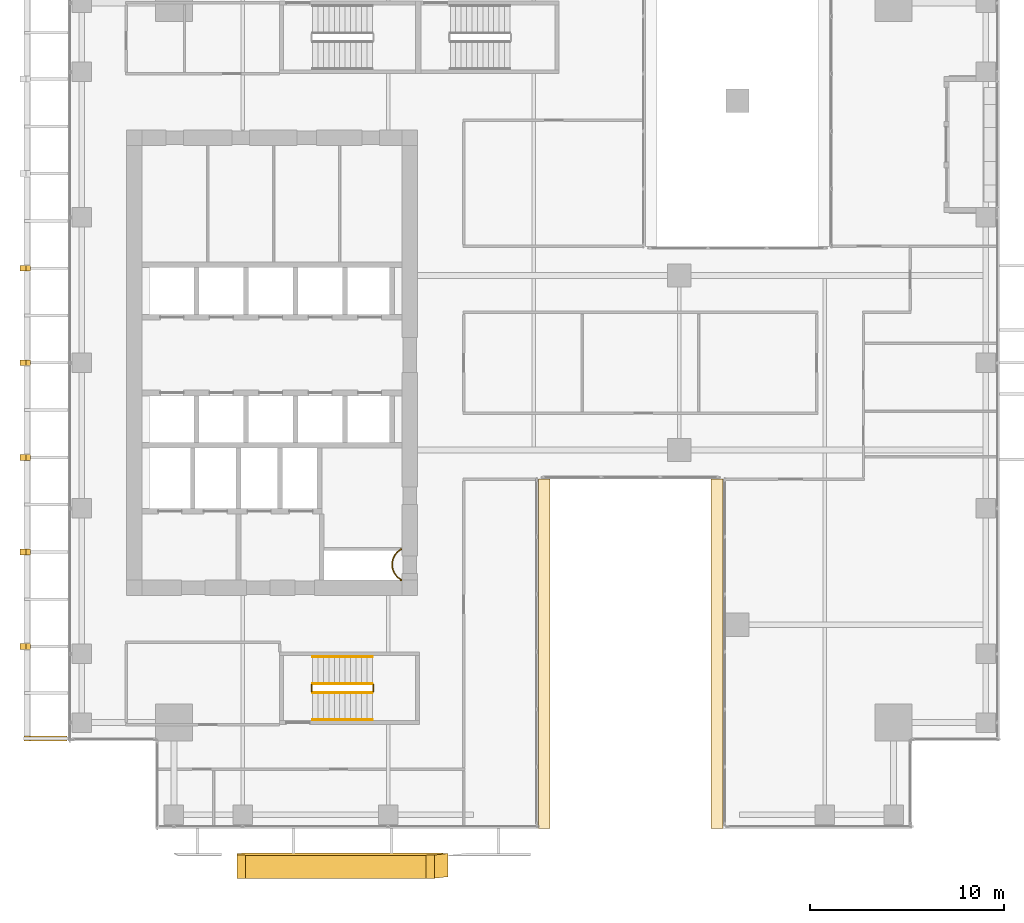
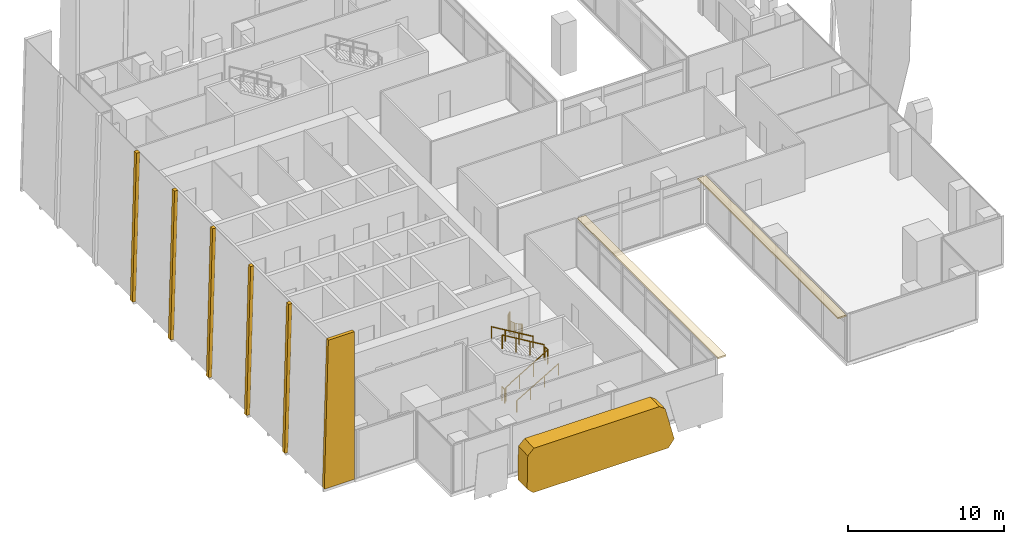
# One storey, part 37 of 40: 9 coverings, 7 railings.
"""IFC4 building model written with IfcOpenShell, lengths in metres."""

from ifc_helpers import new_model, si_unit, direction, frame, origin, origin_2d, place, context, subcontext, project, spatial, polyline, circle, outline, extrude, source, transform, mapped, material, layer, layer_set, type_object, element, save


model = new_model("IFC4")

# Units and contexts
model_context = context("Model", 3, precision=1e-05, world=origin(), true_north=direction((0.0, 1.0)))
body_context = subcontext(model_context, "Body", "Model", "MODEL_VIEW")
ifc_project = project(units=[si_unit("LENGTHUNIT", "METRE"), si_unit("AREAUNIT", "SQUARE_METRE"), si_unit("VOLUMEUNIT", "CUBIC_METRE"), si_unit("PLANEANGLEUNIT", "RADIAN"), si_unit("MASSUNIT", "GRAM", prefix="KILO")], contexts=[model_context])

# Site, building, storey
site_placement = place(None, origin())
site = spatial("IfcSite", under=ifc_project, at=site_placement, CompositionType="ELEMENT")
building_placement = place(site_placement, origin())
building = spatial("IfcBuilding", under=site, at=building_placement, Name="Khomas Fold Tower", CompositionType="ELEMENT")
storey_placement = place(building_placement, frame((0.0, 0.0, 176.699951171875)))
storey = spatial("IfcBuildingStorey", under=building, at=storey_placement, Name="L38", CompositionType="ELEMENT", Elevation=176.699951171875)

# Coverings
ifc_material_1 = material(Name="Natural stone cladding", Category="masonry")
ifc_layer_1 = layer(ifc_material_1, 0.25)
ifc_layer_set_1 = layer_set([ifc_layer_1], Name="Natural stone cladding")
covering_type_1 = type_object("IfcCoveringType", Name="SK-Karibib marble stone mullion", PredefinedType="CLADDING", material=ifc_layer_set_1)
for number, where, z_axis, x_axis, name in (
    (1, (0.519287109375, 12.22509765625, 0.006591796875), (-0.999657230839, 0.0, 0.026180543005), (0.0, 1.0, 0.0), "OUTER SKIN mullion L38 W2"),
    (2, (0.519287109375, 17.10009765625, 0.006591796875), (-0.999657230839, 0.0, 0.026180543005), (0.0, 1.0, 0.0), "OUTER SKIN mullion L38 W4"),
    (3, (0.519287109375, 21.97509765625, 0.006591796875), (-0.999657230839, 0.0, 0.026180543005), (0.0, 1.0, 0.0), "OUTER SKIN mullion L38 W6"),
    (4, (0.519287109375, 26.85009765625, 0.006591796875), (-0.999657230839, 0.0, 0.026180543005), (0.0, 1.0, 0.0), "OUTER SKIN mullion L38 W8"),
    (5, (0.519287109375, 31.72509765625, 0.006591796875), (-0.999657230839, 0.0, 0.026180543005), (0.0, 1.0, 0.0), "OUTER SKIN mullion L38 W10"),
):
    element("IfcCovering", number, at=place(storey_placement, frame(where, z_axis=z_axis, x_axis=x_axis)), inside=storey, type_object=covering_type_1, Name=name, PredefinedType="CLADDING", context=body_context, shape_type="SweptSolid", body=[
        extrude(outline(polyline([(0.0, 0.0), (0.2998046875, 0.0), (0.2998046875, -11.554009186164079), (0.0, -11.554009186164079), (0.0, 0.0)])), origin(), (0.0, 0.0, -1.0), 0.25),
    ])
covering_1_placement = place(storey_placement, frame((2.949951171875, 7.5, 11.550048828125), z_axis=(0.0, -1.0, 0.0), x_axis=(-1.0, 0.0, 0.0)))
element("IfcCovering", 6, at=covering_1_placement, inside=storey, type_object=covering_type_1, Name="OUTER SKIN return L38 W1", PredefinedType="CLADDING", context=body_context, shape_type="SweptSolid", body=[
    extrude(outline(polyline([(0.0, 0.0), (1.918212890625, 0.0), (2.220703125, 11.550048828125), (0.0, 11.550048828125), (0.0, 0.0)])), origin(), (0.0, 0.0, -1.0), 0.25),
])
ifc_material_2 = material(Name="Natural stone cladding", Category="masonry")
ifc_layer_2 = layer(ifc_material_2, 1.199951171875)
ifc_layer_set_2 = layer_set([ifc_layer_2], Name="Natural stone cladding")
covering_type_2 = type_object("IfcCoveringType", Name="SK-Karibib marble stone panel", PredefinedType="CLADDING", material=ifc_layer_set_2)
covering_2_placement = place(storey_placement, frame((21.873291015625, 1.62353515625, 3.217041015625), z_axis=(-2.23391e-07, 0.99951069603, 0.031278882989), x_axis=(0.260167126154, 0.030201808967, -0.965091144506)))
element("IfcCovering", 7, at=covering_2_placement, inside=storey, type_object=covering_type_2, Name="OUTER SKIN leaf L38 SS03-1", PredefinedType="CLADDING", context=body_context, shape_type="SweptSolid", body=[
    extrude(outline(polyline([(0.0, 0.0), (2.7457560812117783, -1.1102230246251565e-16), (3.1805739464921605, 0.5672289496535974), (0.578076959212273, 10.225929486831415), (0.02634290214534296, 10.543265504602834), (-2.53379698766472, 9.853446379924998), (-2.8513986646506533, 9.301871437332387), (-0.4346899693628984, 0.33269080524438815), (0.0, 0.0)])), origin(), (0.0, 0.0, -1.0), 1.199951171875),
])
ifc_material_3 = material(Name="Natural stone cladding", Category="masonry")
ifc_layer_3 = layer(ifc_material_3, 0.1201171875)
ifc_layer_set_3 = layer_set([ifc_layer_3], Name="Natural stone cladding")
covering_type_3 = type_object("IfcCoveringType", Name="Notch soffit stone GN-SF", PredefinedType="CLADDING", material=ifc_layer_set_3)
shared_shape_1 = source(origin(), body_context, "Body", "SweptSolid", [
    extrude(outline(polyline([(36.14990234375, 21.0), (36.14990234375, 3.0), (36.75, 3.0), (36.75, 21.0), (36.14990234375, 21.0)])), origin(), (0.0, 0.0, 1.0), 0.119873046875),
])
covering_3_placement = place(storey_placement, frame((0.0, 0.0, 3.630126953125)))
element("IfcCovering", 8, at=covering_3_placement, inside=storey, type_object=covering_type_3, Name="Notch soffit stone", PredefinedType="CLADDING", context=body_context, shape_type="MappedRepresentation", body=[
    mapped(shared_shape_1, transform((0.0, 0.0, 0.0))),
])
shared_shape_2 = source(origin(), body_context, "Body", "SweptSolid", [
    extrude(outline(polyline([(27.85009765625, 3.0), (27.85009765625, 21.0), (27.25, 21.0), (27.25, 3.0), (27.85009765625, 3.0)])), origin(), (0.0, 0.0, 1.0), 0.119873046875),
])
covering_4_placement = place(storey_placement, frame((0.0, 0.0, 3.630126953125)))
element("IfcCovering", 9, at=covering_4_placement, inside=storey, type_object=covering_type_3, Name="Notch soffit stone", PredefinedType="CLADDING", context=body_context, shape_type="MappedRepresentation", body=[
    mapped(shared_shape_2, transform((0.0, 0.0, 0.0))),
])

# Railings
ifc_material_4 = material(Name="Steel balustrade", Category="steel")
railing_type_1 = type_object("IfcRailingType", Name="Stair guard", PredefinedType="GUARDRAIL", material=ifc_material_4)
shared_shape_3 = source(origin(), body_context, "Body", "SweptSolid", [
    extrude(circle(Radius=0.02392578125, at=origin_2d()), frame((0.0, 0.0, 1.076171875), z_axis=(0.0, 1.0, 0.0), x_axis=(-1.0, 0.0, 0.0)), (0.0, 0.0, 1.0), 0.349853515625),
    extrude(circle(Radius=0.02099609375, at=origin_2d()), origin(), (0.0, 0.0, 1.0), 1.052001953125),
    extrude(circle(Radius=0.02099609375, at=origin_2d()), frame((0.0, 0.349853515625, 0.0)), (0.0, 0.0, 1.0), 1.052001953125),
])
for number, where, name in (
    (10, (18.72998046875, 10.050048828125, 2.0), "L38 ST2 stair guard 2"),
    (11, (15.550048828125, 10.050048828125, 0.0), "L38 ST2 stair guard 4"),
):
    element("IfcRailing", number, at=place(storey_placement, frame(where)), inside=storey, type_object=railing_type_1, Name=name, PredefinedType="GUARDRAIL", context=body_context, shape_type="MappedRepresentation", body=[
        mapped(shared_shape_3, transform((0.0, 0.0, 0.0))),
    ])
shared_shape_4 = source(origin(), body_context, "Body", "SweptSolid", [
    extrude(circle(Radius=0.02392578125, at=origin_2d()), frame((0.0, 0.0, 1.076171875), z_axis=(0.859290745958, 0.0, 0.51148745235), x_axis=(0.0, 1.0, 0.0)), (0.0, 0.0, 1.0), 3.584228515625),
    extrude(circle(Radius=0.02099609375, at=origin_2d()), origin(), (0.0, 0.0, 1.0), 1.052001953125),
    extrude(circle(Radius=0.02099609375, at=origin_2d()), frame((1.026611328125, 0.0, 0.611083984375)), (0.0, 0.0, 1.0), 1.052001953125),
    extrude(circle(Radius=0.02099609375, at=origin_2d()), frame((2.05322265625, 0.0, 1.22216796875)), (0.0, 0.0, 1.0), 1.052001953125),
    extrude(circle(Radius=0.02099609375, at=origin_2d()), frame((3.079833984375, 0.0, 1.833251953125)), (0.0, 0.0, 1.0), 1.052001953125),
])
railing_1_placement = place(storey_placement, frame((15.60009765625, 10.0, 0.166748046875)))
element("IfcRailing", 12, at=railing_1_placement, inside=storey, type_object=railing_type_1, Name="L38 ST2 stair guard 1", PredefinedType="GUARDRAIL", context=body_context, shape_type="MappedRepresentation", body=[
    mapped(shared_shape_4, transform((0.0, 0.0, 0.0))),
])
shared_shape_5 = source(origin(), body_context, "Body", "SweptSolid", [
    extrude(circle(Radius=0.02392578125, at=origin_2d()), frame((0.0, 0.0, 1.076171875), z_axis=(-0.859290745958, 0.0, 0.51148745235), x_axis=(0.0, -1.0, 0.0)), (0.0, 0.0, 1.0), 3.584228515625),
    extrude(circle(Radius=0.02099609375, at=origin_2d()), origin(), (0.0, 0.0, 1.0), 1.052001953125),
    extrude(circle(Radius=0.02099609375, at=origin_2d()), frame((-1.026611328125, 0.0, 0.611083984375)), (0.0, 0.0, 1.0), 1.052001953125),
    extrude(circle(Radius=0.02099609375, at=origin_2d()), frame((-2.05322265625, 0.0, 1.22216796875)), (0.0, 0.0, 1.0), 1.052001953125),
    extrude(circle(Radius=0.02099609375, at=origin_2d()), frame((-3.079833984375, 0.0, 1.833251953125)), (0.0, 0.0, 1.0), 1.052001953125),
])
railing_2_placement = place(storey_placement, frame((18.679931640625, 10.449951171875, 2.166748046875)))
element("IfcRailing", 13, at=railing_2_placement, inside=storey, type_object=railing_type_1, Name="L38 ST2 stair guard 3", PredefinedType="GUARDRAIL", context=body_context, shape_type="MappedRepresentation", body=[
    mapped(shared_shape_5, transform((0.0, 0.0, 0.0))),
])
ifc_material_5 = material(Name="Steel handrail", Category="steel")
railing_type_2 = type_object("IfcRailingType", Name="Stair handrail", PredefinedType="HANDRAIL", material=ifc_material_5)
shared_shape_6 = source(origin(), body_context, "Body", "SweptSolid", [
    extrude(circle(Radius=0.02392578125, at=origin_2d()), frame((0.0, 0.0, 0.8759765625), z_axis=(0.859290745958, 0.0, 0.51148745235), x_axis=(0.0, 1.0, 0.0)), (0.0, 0.0, 1.0), 3.584228515625),
    extrude(circle(Radius=0.02099609375, at=origin_2d()), origin(), (0.0, 0.0, 1.0), 0.851806640625),
    extrude(circle(Radius=0.02099609375, at=origin_2d()), frame((1.026611328125, 0.0, 0.611083984375)), (0.0, 0.0, 1.0), 0.851806640625),
    extrude(circle(Radius=0.02099609375, at=origin_2d()), frame((2.05322265625, 0.0, 1.22216796875)), (0.0, 0.0, 1.0), 0.851806640625),
    extrude(circle(Radius=0.02099609375, at=origin_2d()), frame((3.079833984375, 0.0, 1.833251953125)), (0.0, 0.0, 1.0), 0.851806640625),
])
railing_3_placement = place(storey_placement, frame((15.60009765625, 8.60009765625, 0.166748046875)))
element("IfcRailing", 14, at=railing_3_placement, inside=storey, type_object=railing_type_2, Name="L38 ST2 stair handrail 1", PredefinedType="HANDRAIL", context=body_context, shape_type="MappedRepresentation", body=[
    mapped(shared_shape_6, transform((0.0, 0.0, 0.0))),
])
shared_shape_7 = source(origin(), body_context, "Body", "SweptSolid", [
    extrude(circle(Radius=0.02392578125, at=origin_2d()), frame((0.0, 0.0, 0.8759765625), z_axis=(-0.859290745958, 0.0, 0.51148745235), x_axis=(0.0, -1.0, 0.0)), (0.0, 0.0, 1.0), 3.584228515625),
    extrude(circle(Radius=0.02099609375, at=origin_2d()), origin(), (0.0, 0.0, 1.0), 0.851806640625),
    extrude(circle(Radius=0.02099609375, at=origin_2d()), frame((-1.026611328125, 0.0, 0.611083984375)), (0.0, 0.0, 1.0), 0.851806640625),
    extrude(circle(Radius=0.02099609375, at=origin_2d()), frame((-2.05322265625, 0.0, 1.22216796875)), (0.0, 0.0, 1.0), 0.851806640625),
    extrude(circle(Radius=0.02099609375, at=origin_2d()), frame((-3.079833984375, 0.0, 1.833251953125)), (0.0, 0.0, 1.0), 0.851806640625),
])
railing_4_placement = place(storey_placement, frame((18.679931640625, 11.85009765625, 2.166748046875)))
element("IfcRailing", 15, at=railing_4_placement, inside=storey, type_object=railing_type_2, Name="L38 ST2 stair handrail 2", PredefinedType="HANDRAIL", context=body_context, shape_type="MappedRepresentation", body=[
    mapped(shared_shape_7, transform((0.0, 0.0, 0.0))),
])
ifc_material_6 = material(Name="Steel balustrade", Category="steel")
railing_type_3 = type_object("IfcRailingType", Name="Shaft guard", PredefinedType="GUARDRAIL", material=ifc_material_6)
shared_shape_8 = source(origin(), body_context, "Body", "SweptSolid", [
    extrude(circle(Radius=0.02490234375, at=origin_2d()), frame((0.0, 0.0, 1.0751953125), z_axis=(1.0, 0.0, 0.0), x_axis=(0.0, 1.0, 0.0)), (0.0, 0.0, 1.0), 0.06103515625),
    extrude(circle(Radius=0.02490234375, at=origin_2d()), frame((0.06103515625, 0.0, 1.0751953125), z_axis=(-0.90746690712, -0.420123568111, 0.0), x_axis=(0.420123568111, -0.90746690712, 0.0)), (0.0, 0.0, 1.0), 0.0146484375),
    extrude(circle(Radius=0.02490234375, at=origin_2d()), frame((0.0478515625, -0.006103515625, 1.0751953125), z_axis=(-0.857492925713, -0.514495755428, 0.0), x_axis=(0.514495755428, -0.857492925713, 0.0)), (0.0, 0.0, 1.0), 0.08837890625),
    extrude(circle(Radius=0.02490234375, at=origin_2d()), frame((-0.02783203125, -0.051513671875, 1.0751953125), z_axis=(-0.802970227885, -0.596019138224, 0.0), x_axis=(0.596019138224, -0.802970227885, 0.0)), (0.0, 0.0, 1.0), 0.08837890625),
    extrude(circle(Radius=0.02490234375, at=origin_2d()), frame((-0.098876953125, -0.104248046875, 1.0751953125), z_axis=(-0.740814996175, -0.671709119666, 0.0), x_axis=(0.671709119666, -0.740814996175, 0.0)), (0.0, 0.0, 1.0), 0.08837890625),
    extrude(circle(Radius=0.02490234375, at=origin_2d()), frame((-0.164306640625, -0.16357421875, 1.0751953125), z_axis=(-0.671709119666, -0.740814996175, 0.0), x_axis=(0.740814996175, -0.671709119666, 0.0)), (0.0, 0.0, 1.0), 0.08837890625),
    extrude(circle(Radius=0.02490234375, at=origin_2d()), frame((-0.2236328125, -0.22900390625, 1.0751953125), z_axis=(-0.595558727233, -0.803311771616, 0.0), x_axis=(0.803311771616, -0.595558727233, 0.0)), (0.0, 0.0, 1.0), 0.088134765625),
    extrude(circle(Radius=0.02490234375, at=origin_2d()), frame((-0.276123046875, -0.2998046875, 1.0751953125), z_axis=(-0.514495755428, -0.857492925713, 0.0), x_axis=(0.857492925713, -0.514495755428, 0.0)), (0.0, 0.0, 1.0), 0.08837890625),
    extrude(circle(Radius=0.02490234375, at=origin_2d()), frame((-0.321533203125, -0.37548828125, 1.0751953125), z_axis=(-0.427256721383, -0.904130352346, 0.0), x_axis=(0.904130352346, -0.427256721383, 0.0)), (0.0, 0.0, 1.0), 0.088623046875),
    extrude(circle(Radius=0.02490234375, at=origin_2d()), frame((-0.359375, -0.45556640625, 1.0751953125), z_axis=(-0.337738989679, -0.941239807302, 0.0), x_axis=(0.941239807302, -0.337738989679, 0.0)), (0.0, 0.0, 1.0), 0.088134765625),
    extrude(circle(Radius=0.02490234375, at=origin_2d()), frame((-0.38916015625, -0.53857421875, 1.0751953125), z_axis=(-0.243185799972, -0.969979724887, 0.0), x_axis=(0.969979724887, -0.243185799972, 0.0)), (0.0, 0.0, 1.0), 0.08837890625),
    extrude(circle(Radius=0.02490234375, at=origin_2d()), frame((-0.41064453125, -0.624267578125, 1.0751953125), z_axis=(-0.146448518259, -0.989218293148, 0.0), x_axis=(0.989218293148, -0.146448518259, 0.0)), (0.0, 0.0, 1.0), 0.08837890625),
    extrude(circle(Radius=0.02490234375, at=origin_2d()), frame((-0.423583984375, -0.711669921875, 1.0751953125), z_axis=(-0.049799629132, -0.998759228712, 0.0), x_axis=(0.998759228712, -0.049799629132, 0.0)), (0.0, 0.0, 1.0), 0.088134765625),
    extrude(circle(Radius=0.02490234375, at=origin_2d()), frame((-0.427978515625, -0.7998046875, 1.0751953125), z_axis=(0.049662400856, -0.998766061669, 0.0), x_axis=(0.998766061669, 0.049662400856, 0.0)), (0.0, 0.0, 1.0), 0.08837890625),
    extrude(circle(Radius=0.02490234375, at=origin_2d()), frame((-0.423583984375, -0.88818359375, 1.0751953125), z_axis=(0.146448518259, -0.989218293148, 0.0), x_axis=(0.989218293148, 0.146448518259, 0.0)), (0.0, 0.0, 1.0), 0.08837890625),
    extrude(circle(Radius=0.02490234375, at=origin_2d()), frame((-0.41064453125, -0.9755859375, 1.0751953125), z_axis=(0.243185799972, -0.969979724887, 0.0), x_axis=(0.969979724887, 0.243185799972, 0.0)), (0.0, 0.0, 1.0), 0.08837890625),
    extrude(circle(Radius=0.02490234375, at=origin_2d()), frame((-0.38916015625, -1.061279296875, 1.0751953125), z_axis=(0.337738989679, -0.941239807302, 0.0), x_axis=(0.941239807302, 0.337738989679, 0.0)), (0.0, 0.0, 1.0), 0.088134765625),
    extrude(circle(Radius=0.02490234375, at=origin_2d()), frame((-0.359375, -1.144287109375, 1.0751953125), z_axis=(0.428323905606, -0.903625271828, 0.0), x_axis=(0.903625271828, 0.428323905606, 0.0)), (0.0, 0.0, 1.0), 0.08837890625),
    extrude(circle(Radius=0.02490234375, at=origin_2d()), frame((-0.321533203125, -1.22412109375, 1.0751953125), z_axis=(0.514495755428, -0.857492925713, 0.0), x_axis=(0.857492925713, 0.514495755428, 0.0)), (0.0, 0.0, 1.0), 0.08837890625),
    extrude(circle(Radius=0.02490234375, at=origin_2d()), frame((-0.276123046875, -1.2998046875, 1.0751953125), z_axis=(0.594235623595, -0.804291006819, 0.0), x_axis=(0.804291006819, 0.594235623595, 0.0)), (0.0, 0.0, 1.0), 0.08837890625),
    extrude(circle(Radius=0.02490234375, at=origin_2d()), frame((-0.2236328125, -1.370849609375, 1.0751953125), z_axis=(0.671709119666, -0.740814996175, 0.0), x_axis=(0.740814996175, 0.671709119666, 0.0)), (0.0, 0.0, 1.0), 0.08837890625),
    extrude(circle(Radius=0.02490234375, at=origin_2d()), frame((-0.164306640625, -1.436279296875, 1.0751953125), z_axis=(0.740814996175, -0.671709119666, 0.0), x_axis=(0.671709119666, 0.740814996175, 0.0)), (0.0, 0.0, 1.0), 0.08837890625),
    extrude(circle(Radius=0.02490234375, at=origin_2d()), frame((-0.098876953125, -1.49560546875, 1.0751953125), z_axis=(0.804291006819, -0.594235623595, 0.0), x_axis=(0.594235623595, 0.804291006819, 0.0)), (0.0, 0.0, 1.0), 0.08837890625),
    extrude(circle(Radius=0.02490234375, at=origin_2d()), frame((-0.02783203125, -1.548095703125, 1.0751953125), z_axis=(0.857492925713, -0.514495755428, 0.0), x_axis=(0.514495755428, 0.857492925713, 0.0)), (0.0, 0.0, 1.0), 0.08837890625),
    extrude(circle(Radius=0.02490234375, at=origin_2d()), frame((0.0478515625, -1.593505859375, 1.0751953125), z_axis=(0.901001669759, -0.433815618773, 0.0), x_axis=(0.433815618773, 0.901001669759, 0.0)), (0.0, 0.0, 1.0), 0.0146484375),
    extrude(circle(Radius=0.02490234375, at=origin_2d()), frame((0.06103515625, -1.599853515625, 1.0751953125), z_axis=(-1.0, 0.0, 0.0), x_axis=(0.0, -1.0, 0.0)), (0.0, 0.0, 1.0), 0.06103515625),
    extrude(circle(Radius=0.02001953125, at=origin_2d()), origin(), (0.0, 0.0, 1.0), 1.050048828125),
    extrude(circle(Radius=0.02001953125, at=origin_2d()), frame((0.06103515625, 0.0, 0.0)), (0.0, 0.0, 1.0), 1.050048828125),
    extrude(circle(Radius=0.02001953125, at=origin_2d()), frame((0.0478515625, -0.006103515625, 0.0)), (0.0, 0.0, 1.0), 1.050048828125),
    extrude(circle(Radius=0.02001953125, at=origin_2d()), frame((-0.02783203125, -0.051513671875, 0.0)), (0.0, 0.0, 1.0), 1.050048828125),
    extrude(circle(Radius=0.02001953125, at=origin_2d()), frame((-0.098876953125, -0.104248046875, 0.0)), (0.0, 0.0, 1.0), 1.050048828125),
    extrude(circle(Radius=0.02001953125, at=origin_2d()), frame((-0.164306640625, -0.16357421875, 0.0)), (0.0, 0.0, 1.0), 1.050048828125),
    extrude(circle(Radius=0.02001953125, at=origin_2d()), frame((-0.2236328125, -0.22900390625, 0.0)), (0.0, 0.0, 1.0), 1.050048828125),
    extrude(circle(Radius=0.02001953125, at=origin_2d()), frame((-0.276123046875, -0.2998046875, 0.0)), (0.0, 0.0, 1.0), 1.050048828125),
    extrude(circle(Radius=0.02001953125, at=origin_2d()), frame((-0.321533203125, -0.37548828125, 0.0)), (0.0, 0.0, 1.0), 1.050048828125),
    extrude(circle(Radius=0.02001953125, at=origin_2d()), frame((-0.359375, -0.45556640625, 0.0)), (0.0, 0.0, 1.0), 1.050048828125),
    extrude(circle(Radius=0.02001953125, at=origin_2d()), frame((-0.38916015625, -0.53857421875, 0.0)), (0.0, 0.0, 1.0), 1.050048828125),
    extrude(circle(Radius=0.02001953125, at=origin_2d()), frame((-0.41064453125, -0.624267578125, 0.0)), (0.0, 0.0, 1.0), 1.050048828125),
    extrude(circle(Radius=0.02001953125, at=origin_2d()), frame((-0.423583984375, -0.711669921875, 0.0)), (0.0, 0.0, 1.0), 1.050048828125),
    extrude(circle(Radius=0.02001953125, at=origin_2d()), frame((-0.427978515625, -0.7998046875, 0.0)), (0.0, 0.0, 1.0), 1.050048828125),
    extrude(circle(Radius=0.02001953125, at=origin_2d()), frame((-0.423583984375, -0.88818359375, 0.0)), (0.0, 0.0, 1.0), 1.050048828125),
    extrude(circle(Radius=0.02001953125, at=origin_2d()), frame((-0.41064453125, -0.9755859375, 0.0)), (0.0, 0.0, 1.0), 1.050048828125),
    extrude(circle(Radius=0.02001953125, at=origin_2d()), frame((-0.38916015625, -1.061279296875, 0.0)), (0.0, 0.0, 1.0), 1.050048828125),
    extrude(circle(Radius=0.02001953125, at=origin_2d()), frame((-0.359375, -1.144287109375, 0.0)), (0.0, 0.0, 1.0), 1.050048828125),
    extrude(circle(Radius=0.02001953125, at=origin_2d()), frame((-0.321533203125, -1.22412109375, 0.0)), (0.0, 0.0, 1.0), 1.050048828125),
    extrude(circle(Radius=0.02001953125, at=origin_2d()), frame((-0.276123046875, -1.2998046875, 0.0)), (0.0, 0.0, 1.0), 1.050048828125),
    extrude(circle(Radius=0.02001953125, at=origin_2d()), frame((-0.2236328125, -1.370849609375, 0.0)), (0.0, 0.0, 1.0), 1.050048828125),
    extrude(circle(Radius=0.02001953125, at=origin_2d()), frame((-0.164306640625, -1.436279296875, 0.0)), (0.0, 0.0, 1.0), 1.050048828125),
    extrude(circle(Radius=0.02001953125, at=origin_2d()), frame((-0.098876953125, -1.49560546875, 0.0)), (0.0, 0.0, 1.0), 1.050048828125),
    extrude(circle(Radius=0.02001953125, at=origin_2d()), frame((-0.02783203125, -1.548095703125, 0.0)), (0.0, 0.0, 1.0), 1.050048828125),
    extrude(circle(Radius=0.02001953125, at=origin_2d()), frame((0.0478515625, -1.593505859375, 0.0)), (0.0, 0.0, 1.0), 1.050048828125),
    extrude(circle(Radius=0.02001953125, at=origin_2d()), frame((0.06103515625, -1.599853515625, 0.0)), (0.0, 0.0, 1.0), 1.050048828125),
    extrude(circle(Radius=0.02001953125, at=origin_2d()), frame((0.0, -1.599853515625, 0.0)), (0.0, 0.0, 1.0), 1.050048828125),
])
railing_5_placement = place(storey_placement, frame((20.1279296875, 17.39990234375, 0.0)))
element("IfcRailing", 16, at=railing_5_placement, inside=storey, type_object=railing_type_3, Name="Shaft guard L38 1", PredefinedType="GUARDRAIL", context=body_context, shape_type="MappedRepresentation", body=[
    mapped(shared_shape_8, transform((0.0, 0.0, 0.0))),
])

save(model, "model.ifc")
